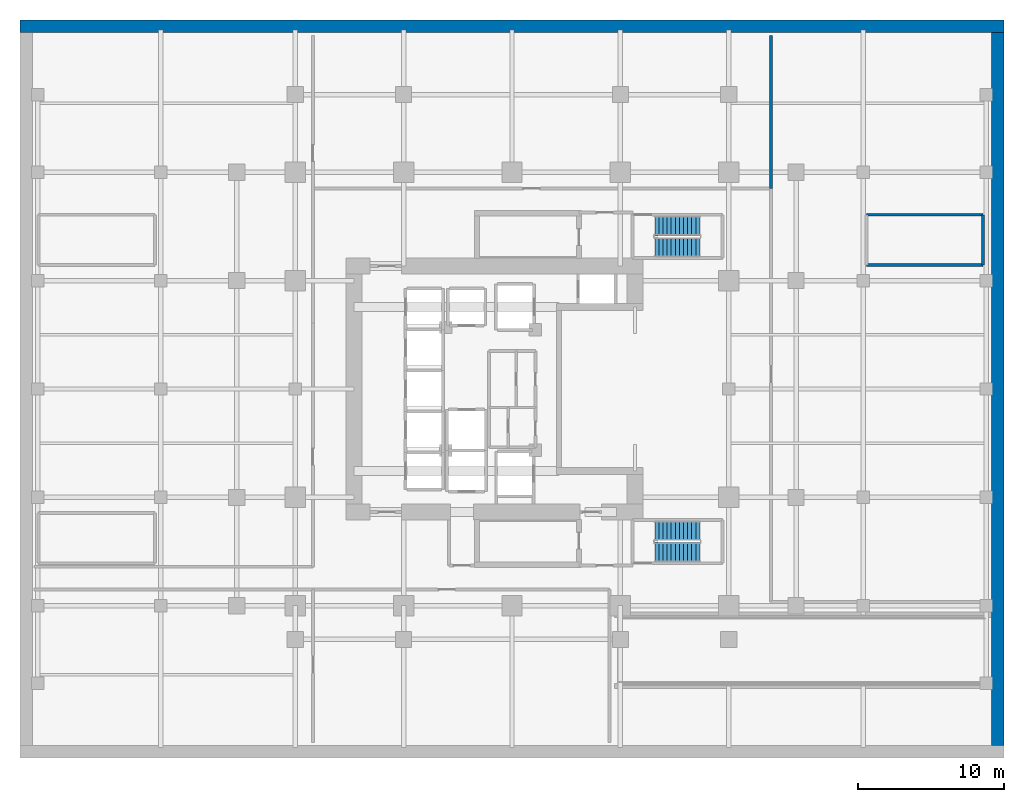
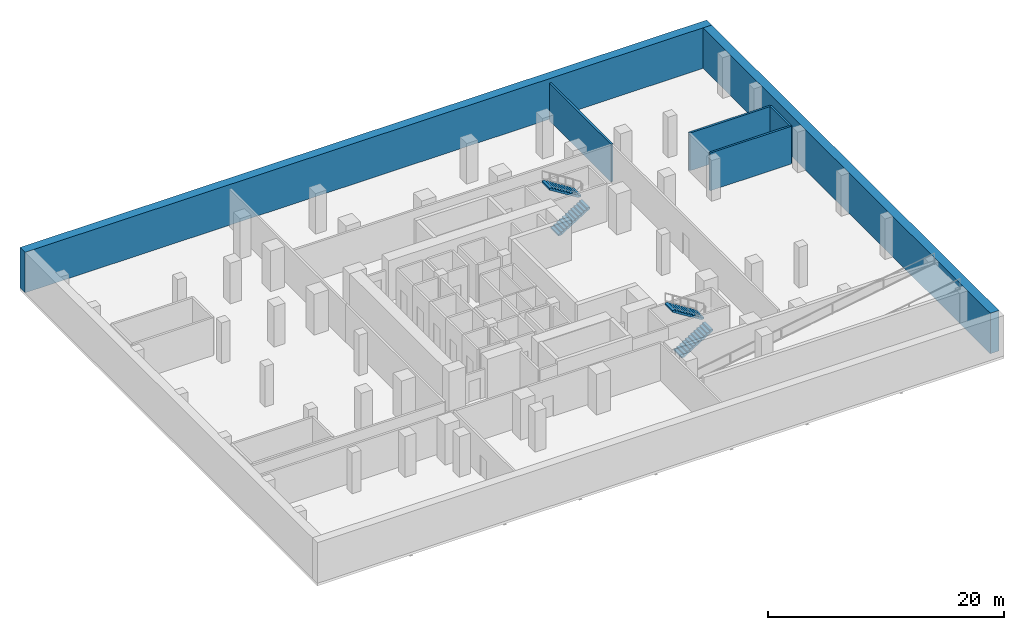
# One storey, part 6 of 7: 6 walls, 4 stair flights, 2 elements without a shape of their own.
"""IFC4 building model written with IfcOpenShell, lengths in metres."""

from ifc_helpers import new_model, si_unit, direction, frame, frame_2d, origin, place, context, subcontext, project, spatial, polyline, rectangle, outline, extrude, material, layer, layer_set, type_object, element, aggregate, save


model = new_model("IFC4")

# Units and contexts
model_context = context("Model", 3, precision=1e-05, world=origin(), true_north=direction((0.0, 1.0)))
body_context = subcontext(model_context, "Body", "Model", "MODEL_VIEW")
ifc_project = project(units=[si_unit("LENGTHUNIT", "METRE"), si_unit("AREAUNIT", "SQUARE_METRE"), si_unit("VOLUMEUNIT", "CUBIC_METRE"), si_unit("PLANEANGLEUNIT", "RADIAN"), si_unit("MASSUNIT", "GRAM", prefix="KILO")], contexts=[model_context])

# Site, building, storey
site_placement = place(None, origin())
site = spatial("IfcSite", under=ifc_project, at=site_placement, CompositionType="ELEMENT")
building_placement = place(site_placement, origin())
building = spatial("IfcBuilding", under=site, at=building_placement, Name="Khorvyn Point Tower", CompositionType="ELEMENT")
storey_placement = place(building_placement, frame((0.0, 0.0, -4.199951171875)))
storey = spatial("IfcBuildingStorey", under=building, at=storey_placement, Name="B1", CompositionType="ELEMENT", Elevation=-4.199951171875)

# Walls
ifc_material_1 = material(Name="Concrete C35/45", Category="concrete")
ifc_layer_1 = layer(ifc_material_1, 0.85009765625)
ifc_layer_set_1 = layer_set([ifc_layer_1], Name="Concrete C35/45 Basement Retaining Wall 850")
wall_type_1 = type_object("IfcWallType", Name="Concrete C35/45 Basement Retaining Wall 850", PredefinedType="SOLIDWALL", material=ifc_layer_set_1)
wall_1_placement = place(storey_placement, frame((-33.60009765625, 24.77490234375, 0.0), z_axis=(0.0, 0.0, 1.0), x_axis=(1.0, 0.0, 0.0)))
element("IfcWall", 1, at=wall_1_placement, inside=storey, type_object=wall_type_1, Name="B1 Basement Retaining Wall N", PredefinedType="SOLIDWALL", context=body_context, shape_type="SweptSolid", body=[
    extrude(rectangle(XDim=67.2001953125, YDim=0.85009765625, at=frame_2d((33.60009765625, 0.0))), origin(), (0.0, 0.0, 1.0), 4.199951171875),
])
wall_2_placement = place(storey_placement, frame((33.175048828125, -24.35009765625, 0.0), z_axis=(0.0, 0.0, 1.0), x_axis=(0.0, 1.0, 0.0)))
element("IfcWall", 2, at=wall_2_placement, inside=storey, type_object=wall_type_1, Name="B1 Basement Retaining Wall E", PredefinedType="SOLIDWALL", context=body_context, shape_type="SweptSolid", body=[
    extrude(rectangle(XDim=48.7001953125, YDim=0.85009765625, at=frame_2d((24.35009765625, 0.0))), origin(), (0.0, 0.0, 1.0), 4.199951171875),
])
ifc_material_2 = material(Name="Concrete C35/45 masonry blockwork", Category="masonry")
ifc_layer_2 = layer(ifc_material_2, 0.199951171875)
ifc_layer_set_2 = layer_set([ifc_layer_2], Name="Concrete C35/45 Blockwork Plant Compartment Wall 200")
wall_type_2 = type_object("IfcWallType", Name="Concrete C35/45 Blockwork Plant Compartment Wall 200", PredefinedType="SOLIDWALL", material=ifc_layer_set_2)
wall_3_placement = place(storey_placement, frame((17.699951171875, 13.699951171875, 0.0), z_axis=(0.0, 0.0, 1.0), x_axis=(0.0, 1.0, 0.0)))
element("IfcWall", 3, at=wall_3_placement, inside=storey, type_object=wall_type_2, Name="Wall", PredefinedType="SOLIDWALL", context=body_context, shape_type="SweptSolid", body=[
    extrude(rectangle(XDim=10.449951171875, YDim=0.199951171875, at=frame_2d((5.22509765625, 0.0))), origin(), (0.0, 0.0, 1.0), 3.89990234375),
])
ifc_material_3 = material(Name="Concrete C40/50", Category="concrete")
ifc_layer_3 = layer(ifc_material_3, 0.199951171875)
ifc_layer_set_3 = layer_set([ifc_layer_3], Name="Concrete C40/50 Structural Hoistway and Stair Shaft Wall 200")
wall_type_3 = type_object("IfcWallType", Name="Concrete C40/50 Structural Hoistway and Stair Shaft Wall 200", PredefinedType="SHEAR", material=ifc_layer_set_3)
wall_4_placement = place(storey_placement, frame((32.179931640625, 11.89990234375, 0.0), z_axis=(0.0, 0.0, 1.0), x_axis=(0.0, -1.0, 0.0)))
element("IfcWall", 4, at=wall_4_placement, inside=storey, type_object=wall_type_3, Name="Wall", PredefinedType="SHEAR", context=body_context, shape_type="SweptSolid", body=[
    extrude(rectangle(XDim=3.419921875, YDim=0.199951171875, at=frame_2d((1.7099609375, 0.0))), origin(), (0.0, 0.0, 1.0), 3.89990234375),
])
for number, where, z_axis, x_axis, name in (
    (5, (32.179931640625, 8.47998046875, 0.0), (0.0, 0.0, 1.0), (-1.0, 0.0, 0.0), "Wall"),
    (6, (24.219970703125, 11.89990234375, 0.0), (0.0, 0.0, 1.0), (1.0, 0.0, 0.0), "Wall"),
):
    element("IfcWall", number, at=place(storey_placement, frame(where, z_axis=z_axis, x_axis=x_axis)), inside=storey, type_object=wall_type_3, Name=name, PredefinedType="SHEAR", context=body_context, shape_type="SweptSolid", body=[
        extrude(rectangle(XDim=7.9599609375, YDim=0.199951171875, at=frame_2d((3.97998046875, 0.0))), origin(), (0.0, 0.0, 1.0), 3.89990234375),
    ])

# Stair, stair flights
stair_type = type_object("IfcStairType", Name="Tower Concrete C40/50 Dogleg Exit Stair", PredefinedType="HALF_TURN_STAIR", material=ifc_material_3)
stair_1_placement = place(storey_placement, origin())
stair_1 = element("IfcStair", 7, at=stair_1_placement, inside=storey, type_object=stair_type, Name="B1 Basement Garage Smokeproof Stair South", PredefinedType="HALF_TURN_STAIR")
stair_flight_type = type_object("IfcStairFlightType", Name="Tower Concrete C40/50 Stair Flight", PredefinedType="STRAIGHT", material=ifc_material_3)
stair_flight_1_placement = place(storey_placement, frame((9.75, -11.159912109375, 0.0), z_axis=(0.0, 0.0, 1.0), x_axis=(1.0, 0.0, 0.0)))
stair_flight_1 = element("IfcStairFlight", 8, at=stair_flight_1_placement, type_object=stair_flight_type, Name="ST-B1 flight 1", NumberOfRisers=12, NumberOfTreads=11, PredefinedType="STRAIGHT", RiserHeight=0.175, TreadLength=0.28, context=body_context, shape_type="SweptSolid", body=[
    extrude(outline(polyline([(0.0, 0.0), (0.0, 0.175048828125), (0.280029296875, 0.175048828125), (0.280029296875, 0.35009765625), (0.56005859375, 0.35009765625), (0.56005859375, 0.52490234375), (0.840087890625, 0.52490234375), (0.840087890625, 0.699951171875), (1.1201171875, 0.699951171875), (1.1201171875, 0.875), (1.39990234375, 0.875), (1.39990234375, 1.050048828125), (1.679931640625, 1.050048828125), (1.679931640625, 1.22509765625), (1.9599609375, 1.22509765625), (1.9599609375, 1.39990234375), (2.239990234375, 1.39990234375), (2.239990234375, 1.574951171875), (2.52001953125, 1.574951171875), (2.52001953125, 1.75), (2.800048828125, 1.75), (2.800048828125, 1.925048828125), (3.080078125, 1.925048828125), (3.080078125, 2.10009765625), (3.080078125, 1.748291015625), (0.28271484375, 0.0), (0.0, 0.0)])), frame((0.0, 0.66015625, 0.0), z_axis=(0.0, -1.0, 0.0), x_axis=(1.0, 0.0, 0.0)), (0.0, 0.0, 1.0), 1.320068359375),
])
stair_flight_2_placement = place(storey_placement, frame((12.830078125, -9.679931640625, 2.099853515625), z_axis=(0.0, 0.0, 1.0), x_axis=(-1.0, 0.0, 0.0)))
stair_flight_2 = element("IfcStairFlight", 9, at=stair_flight_2_placement, type_object=stair_flight_type, Name="ST-B1 flight 2", NumberOfRisers=12, NumberOfTreads=11, PredefinedType="STRAIGHT", RiserHeight=0.175, TreadLength=0.28, context=body_context, shape_type="SweptSolid", body=[
    extrude(outline(polyline([(0.0, 0.0), (0.0, 0.175048828125), (0.280029296875, 0.175048828125), (0.280029296875, 0.35009765625), (0.56005859375, 0.35009765625), (0.56005859375, 0.52490234375), (0.840087890625, 0.52490234375), (0.840087890625, 0.699951171875), (1.1201171875, 0.699951171875), (1.1201171875, 0.875), (1.39990234375, 0.875), (1.39990234375, 1.050048828125), (1.679931640625, 1.050048828125), (1.679931640625, 1.22509765625), (1.9599609375, 1.22509765625), (1.9599609375, 1.39990234375), (2.239990234375, 1.39990234375), (2.239990234375, 1.574951171875), (2.52001953125, 1.574951171875), (2.52001953125, 1.75), (2.800048828125, 1.75), (2.800048828125, 1.925048828125), (3.080078125, 1.925048828125), (3.080078125, 2.10009765625), (3.080078125, 1.748291015625), (0.28271484375, 0.0), (0.0, 0.0)])), frame((0.0, 0.66015625, 0.0), z_axis=(0.0, -1.0, 0.0), x_axis=(1.0, 0.0, 0.0)), (0.0, 0.0, 1.0), 1.320068359375),
])
aggregate(stair_1, [stair_flight_1, stair_flight_2])

stair_2_placement = place(storey_placement, origin())
stair_2 = element("IfcStair", 10, at=stair_2_placement, inside=storey, type_object=stair_type, Name="B1 Basement Garage Smokeproof Stair North", PredefinedType="HALF_TURN_STAIR")
stair_flight_3_placement = place(storey_placement, frame((9.75, 9.679931640625, 0.0), z_axis=(0.0, 0.0, 1.0), x_axis=(1.0, 0.0, 0.0)))
stair_flight_3 = element("IfcStairFlight", 11, at=stair_flight_3_placement, type_object=stair_flight_type, Name="ST-B2 flight 1", NumberOfRisers=12, NumberOfTreads=11, PredefinedType="STRAIGHT", RiserHeight=0.175, TreadLength=0.28, context=body_context, shape_type="SweptSolid", body=[
    extrude(outline(polyline([(0.0, 0.0), (0.0, 0.175048828125), (0.280029296875, 0.175048828125), (0.280029296875, 0.35009765625), (0.56005859375, 0.35009765625), (0.56005859375, 0.52490234375), (0.840087890625, 0.52490234375), (0.840087890625, 0.699951171875), (1.1201171875, 0.699951171875), (1.1201171875, 0.875), (1.39990234375, 0.875), (1.39990234375, 1.050048828125), (1.679931640625, 1.050048828125), (1.679931640625, 1.22509765625), (1.9599609375, 1.22509765625), (1.9599609375, 1.39990234375), (2.239990234375, 1.39990234375), (2.239990234375, 1.574951171875), (2.52001953125, 1.574951171875), (2.52001953125, 1.75), (2.800048828125, 1.75), (2.800048828125, 1.925048828125), (3.080078125, 1.925048828125), (3.080078125, 2.10009765625), (3.080078125, 1.748291015625), (0.28271484375, 0.0), (0.0, 0.0)])), frame((0.0, 0.66015625, 0.0), z_axis=(0.0, -1.0, 0.0), x_axis=(1.0, 0.0, 0.0)), (0.0, 0.0, 1.0), 1.320068359375),
])
stair_flight_4_placement = place(storey_placement, frame((12.830078125, 11.159912109375, 2.099853515625), z_axis=(0.0, 0.0, 1.0), x_axis=(-1.0, 0.0, 0.0)))
stair_flight_4 = element("IfcStairFlight", 12, at=stair_flight_4_placement, type_object=stair_flight_type, Name="ST-B2 flight 2", NumberOfRisers=12, NumberOfTreads=11, PredefinedType="STRAIGHT", RiserHeight=0.175, TreadLength=0.28, context=body_context, shape_type="SweptSolid", body=[
    extrude(outline(polyline([(0.0, 0.0), (0.0, 0.175048828125), (0.280029296875, 0.175048828125), (0.280029296875, 0.35009765625), (0.56005859375, 0.35009765625), (0.56005859375, 0.52490234375), (0.840087890625, 0.52490234375), (0.840087890625, 0.699951171875), (1.1201171875, 0.699951171875), (1.1201171875, 0.875), (1.39990234375, 0.875), (1.39990234375, 1.050048828125), (1.679931640625, 1.050048828125), (1.679931640625, 1.22509765625), (1.9599609375, 1.22509765625), (1.9599609375, 1.39990234375), (2.239990234375, 1.39990234375), (2.239990234375, 1.574951171875), (2.52001953125, 1.574951171875), (2.52001953125, 1.75), (2.800048828125, 1.75), (2.800048828125, 1.925048828125), (3.080078125, 1.925048828125), (3.080078125, 2.10009765625), (3.080078125, 1.748291015625), (0.28271484375, 0.0), (0.0, 0.0)])), frame((0.0, 0.66015625, 0.0), z_axis=(0.0, -1.0, 0.0), x_axis=(1.0, 0.0, 0.0)), (0.0, 0.0, 1.0), 1.320068359375),
])
aggregate(stair_2, [stair_flight_3, stair_flight_4])

save(model, "model.ifc")
